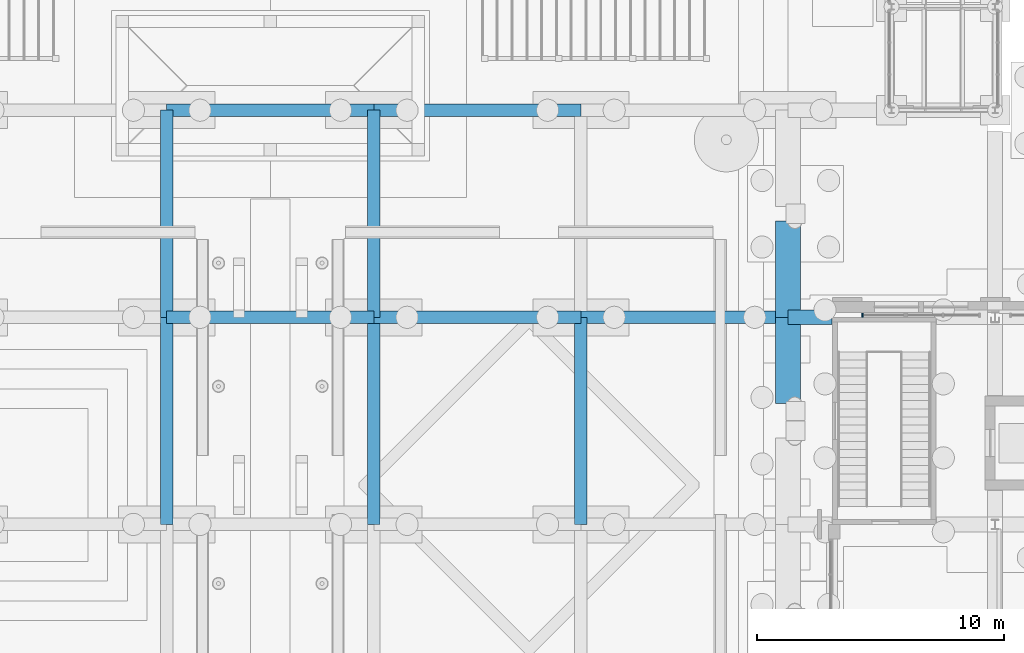
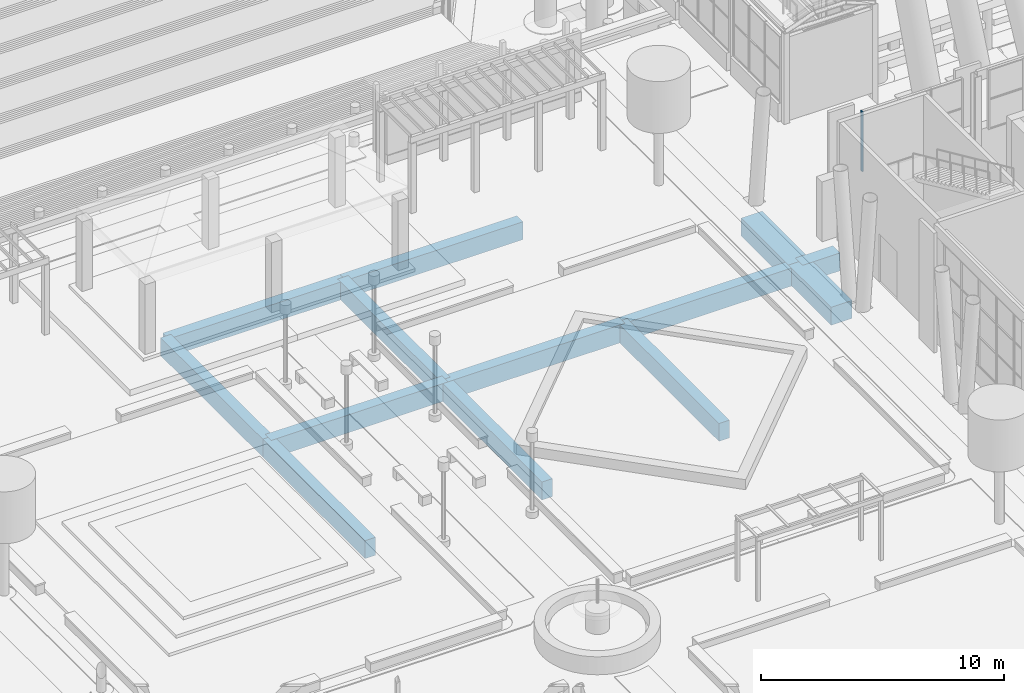
# One storey, part 48 of 222: 13 beams, 1 member, 1 element without a shape of its own.
"""IFC4 building model written with IfcOpenShell, lengths in metres."""

from ifc_helpers import new_model, si_unit, direction, frame, origin, origin_2d, place, context, subcontext, project, spatial, rectangle, extrude, material, material_profile, profile_set, type_object, element, aggregate, save


model = new_model("IFC4")

# Units and contexts
model_context = context("Model", 3, precision=1e-05, world=origin(), true_north=direction((0.0, 1.0)))
body_context = subcontext(model_context, "Body", "Model", "MODEL_VIEW")
ifc_project = project(units=[si_unit("LENGTHUNIT", "METRE"), si_unit("AREAUNIT", "SQUARE_METRE"), si_unit("VOLUMEUNIT", "CUBIC_METRE"), si_unit("PLANEANGLEUNIT", "RADIAN"), si_unit("MASSUNIT", "GRAM", prefix="KILO")], contexts=[model_context])

# Site, building, storey
site_placement = place(None, origin())
site = spatial("IfcSite", under=ifc_project, at=site_placement, CompositionType="ELEMENT")
building_placement = place(site_placement, origin())
building = spatial("IfcBuilding", under=site, at=building_placement, Name="Sava Quay Ferry Terminal", CompositionType="ELEMENT")
storey_placement = place(building_placement, origin())
storey = spatial("IfcBuildingStorey", under=building, at=storey_placement, Name="L00", CompositionType="ELEMENT", Elevation=0.0)

# Curtain wall, member
ifc_material_1 = material(Name="Aluminium and glass curtain wall, double low-e glazed", Category="aluminium")
curtain_wall_type = type_object("IfcCurtainWallType", Name="Curtain wall CW-G gable", PredefinedType="NOTDEFINED", material=ifc_material_1)
curtain_wall_placement = place(storey_placement, origin())
curtain_wall = element("IfcCurtainWall", 1, at=curtain_wall_placement, inside=storey, type_object=curtain_wall_type, Name="Curtain wall D-N L00 bay 1", PredefinedType="NOTDEFINED")
ifc_material_2 = material(Name="Aluminium EN AW-6063 T6", Category="aluminium")
ifc_material_profile_1 = material_profile(ifc_material_2, rectangle(XDim=0.14990234375, YDim=0.06005859375, at=origin_2d()), Name="Mullion 60x150 aluminium")
ifc_profile_set_1 = profile_set([ifc_material_profile_1], Name="Aluminium EN AW-6063 T6")
member_type = type_object("IfcMemberType", Name="Mullion 60x150 aluminium", PredefinedType="MULLION", material=ifc_profile_set_1)
member_placement = place(storey_placement, frame((45.030029296875, 100.885009765625, 3.0), z_axis=(0.0, 0.0, 1.0), x_axis=(0.0, 1.0, 0.0)))
member = element("IfcMember", 2, at=member_placement, type_object=member_type, Name="CW54 mullion 1", PredefinedType="MULLION", context=body_context, shape_type="SweptSolid", body=[
    extrude(rectangle(XDim=0.14990234375, YDim=0.06005859375, at=origin_2d()), origin(), (0.0, 0.0, 1.0), 3.0),
])
aggregate(curtain_wall, [member])

# Beams
ifc_material_3 = material(Name="Concrete C40/50", Category="concrete")
ifc_material_profile_2 = material_profile(ifc_material_3, rectangle(XDim=1.0, YDim=0.89990234375, at=origin_2d()), Name="RC 1000x900")
ifc_profile_set_2 = profile_set([ifc_material_profile_2], Name="Concrete C40/50")
beam_type_1 = type_object("IfcBeamType", Name="RC deck beam 1000x900", PredefinedType="BEAM", material=ifc_profile_set_2)
beam_1_placement = place(storey_placement, frame((42.0, 97.300048828125, -0.89990234375), z_axis=(0.0, 1.0, 0.0), x_axis=(-1.0, 0.0, 0.0)))
element("IfcBeam", 3, at=beam_1_placement, inside=storey, type_object=beam_type_1, Name="Deck beam Y42-92.4", PredefinedType="BEAM", context=body_context, shape_type="SweptSolid", body=[
    extrude(rectangle(XDim=1.0, YDim=0.89990234375, at=origin_2d()), origin(), (0.0, 0.0, 1.0), 3.5),
])
beam_2_placement = place(storey_placement, frame((42.0, 100.800048828125, -0.89990234375), z_axis=(0.0, 1.0, 0.0), x_axis=(-1.0, 0.0, 0.0)))
element("IfcBeam", 4, at=beam_2_placement, inside=storey, type_object=beam_type_1, Name="Deck beam Y42-100.8", PredefinedType="BEAM", context=body_context, shape_type="SweptSolid", body=[
    extrude(rectangle(XDim=1.0, YDim=0.89990234375, at=origin_2d()), origin(), (0.0, 0.0, 1.0), 3.89990234375),
])
ifc_material_4 = material(Name="Concrete C40/50", Category="concrete")
ifc_material_profile_3 = material_profile(ifc_material_4, rectangle(XDim=0.5, YDim=0.89990234375, at=origin_2d()), Name="RC 500x900")
ifc_profile_set_3 = profile_set([ifc_material_profile_3], Name="Concrete C40/50")
beam_type_2 = type_object("IfcBeamType", Name="RC deck beam 500x900", PredefinedType="BEAM", material=ifc_profile_set_3)
beam_3_placement = place(storey_placement, frame((16.800048828125, 100.800048828125, -0.89990234375), z_axis=(1.0, 0.0, 0.0), x_axis=(0.0, 1.0, 0.0)))
element("IfcBeam", 5, at=beam_3_placement, inside=storey, type_object=beam_type_2, Name="Deck beam X100.8-16.8", PredefinedType="BEAM", context=body_context, shape_type="SweptSolid", body=[
    extrude(rectangle(XDim=0.5, YDim=0.89990234375, at=origin_2d()), origin(), (0.0, 0.0, 1.0), 8.39990234375),
])
beam_4_placement = place(storey_placement, frame((25.199951171875, 100.800048828125, -0.89990234375), z_axis=(1.0, 0.0, 0.0), x_axis=(0.0, 1.0, 0.0)))
element("IfcBeam", 6, at=beam_4_placement, inside=storey, type_object=beam_type_2, Name="Deck beam X100.8-25.2", PredefinedType="BEAM", context=body_context, shape_type="SweptSolid", body=[
    extrude(rectangle(XDim=0.5, YDim=0.89990234375, at=origin_2d()), origin(), (0.0, 0.0, 1.0), 8.400146484375),
])
for number, where, z_axis, x_axis, name in (
    (7, (33.60009765625, 100.800048828125, -0.89990234375), (1.0, 0.0, 0.0), (0.0, 1.0, 0.0), "Deck beam X100.8-33.6"),
    (8, (16.800048828125, 109.199951171875, -0.89990234375), (1.0, 0.0, 0.0), (0.0, 1.0, 0.0), "Deck beam X109.2-16.8"),
):
    element("IfcBeam", number, at=place(storey_placement, frame(where, z_axis=z_axis, x_axis=x_axis)), inside=storey, type_object=beam_type_2, Name=name, PredefinedType="BEAM", context=body_context, shape_type="SweptSolid", body=[
        extrude(rectangle(XDim=0.5, YDim=0.89990234375, at=origin_2d()), origin(), (0.0, 0.0, 1.0), 8.39990234375),
    ])
for number, where, z_axis, x_axis, name in (
    (9, (25.199951171875, 109.199951171875, -0.89990234375), (1.0, 0.0, 0.0), (0.0, 1.0, 0.0), "Deck beam X109.2-25.2"),
    (10, (16.800048828125, 92.39990234375, -0.89990234375), (0.0, 1.0, 0.0), (-1.0, 0.0, 0.0), "Deck beam Y16.8-92.4"),
):
    element("IfcBeam", number, at=place(storey_placement, frame(where, z_axis=z_axis, x_axis=x_axis)), inside=storey, type_object=beam_type_2, Name=name, PredefinedType="BEAM", context=body_context, shape_type="SweptSolid", body=[
        extrude(rectangle(XDim=0.5, YDim=0.89990234375, at=origin_2d()), origin(), (0.0, 0.0, 1.0), 8.400146484375),
    ])
beam_5_placement = place(storey_placement, frame((16.800048828125, 100.800048828125, -0.89990234375), z_axis=(0.0, 1.0, 0.0), x_axis=(-1.0, 0.0, 0.0)))
element("IfcBeam", 11, at=beam_5_placement, inside=storey, type_object=beam_type_2, Name="Deck beam Y16.8-100.8", PredefinedType="BEAM", context=body_context, shape_type="SweptSolid", body=[
    extrude(rectangle(XDim=0.5, YDim=0.89990234375, at=origin_2d()), origin(), (0.0, 0.0, 1.0), 8.39990234375),
])
beam_6_placement = place(storey_placement, frame((25.199951171875, 92.39990234375, -0.89990234375), z_axis=(0.0, 1.0, 0.0), x_axis=(-1.0, 0.0, 0.0)))
element("IfcBeam", 12, at=beam_6_placement, inside=storey, type_object=beam_type_2, Name="Deck beam Y25.2-92.4", PredefinedType="BEAM", context=body_context, shape_type="SweptSolid", body=[
    extrude(rectangle(XDim=0.5, YDim=0.89990234375, at=origin_2d()), origin(), (0.0, 0.0, 1.0), 8.400146484375),
])
beam_7_placement = place(storey_placement, frame((25.199951171875, 100.800048828125, -0.89990234375), z_axis=(0.0, 1.0, 0.0), x_axis=(-1.0, 0.0, 0.0)))
element("IfcBeam", 13, at=beam_7_placement, inside=storey, type_object=beam_type_2, Name="Deck beam Y25.2-100.8", PredefinedType="BEAM", context=body_context, shape_type="SweptSolid", body=[
    extrude(rectangle(XDim=0.5, YDim=0.89990234375, at=origin_2d()), origin(), (0.0, 0.0, 1.0), 8.39990234375),
])
beam_8_placement = place(storey_placement, frame((33.60009765625, 92.39990234375, -0.89990234375), z_axis=(0.0, 1.0, 0.0), x_axis=(-1.0, 0.0, 0.0)))
element("IfcBeam", 14, at=beam_8_placement, inside=storey, type_object=beam_type_2, Name="Deck beam Y33.6-92.4", PredefinedType="BEAM", context=body_context, shape_type="SweptSolid", body=[
    extrude(rectangle(XDim=0.5, YDim=0.89990234375, at=origin_2d()), origin(), (0.0, 0.0, 1.0), 8.400146484375),
])
ifc_material_5 = material(Name="Concrete C40/50", Category="concrete")
ifc_material_profile_4 = material_profile(ifc_material_5, rectangle(XDim=0.60009765625, YDim=0.89990234375, at=origin_2d()), Name="RC 600x900")
ifc_profile_set_4 = profile_set([ifc_material_profile_4], Name="Concrete C40/50")
beam_type_3 = type_object("IfcBeamType", Name="RC deck beam 600x900", PredefinedType="BEAM", material=ifc_profile_set_4)
beam_9_placement = place(storey_placement, frame((42.0, 100.800048828125, -0.89990234375), z_axis=(1.0, 0.0, 0.0), x_axis=(0.0, 1.0, 0.0)))
element("IfcBeam", 15, at=beam_9_placement, inside=storey, type_object=beam_type_3, Name="Deck beam X100.8-42", PredefinedType="BEAM", context=body_context, shape_type="SweptSolid", body=[
    extrude(rectangle(XDim=0.60009765625, YDim=0.89990234375, at=origin_2d()), origin(), (0.0, 0.0, 1.0), 1.780029296875),
])

save(model, "model.ifc")
